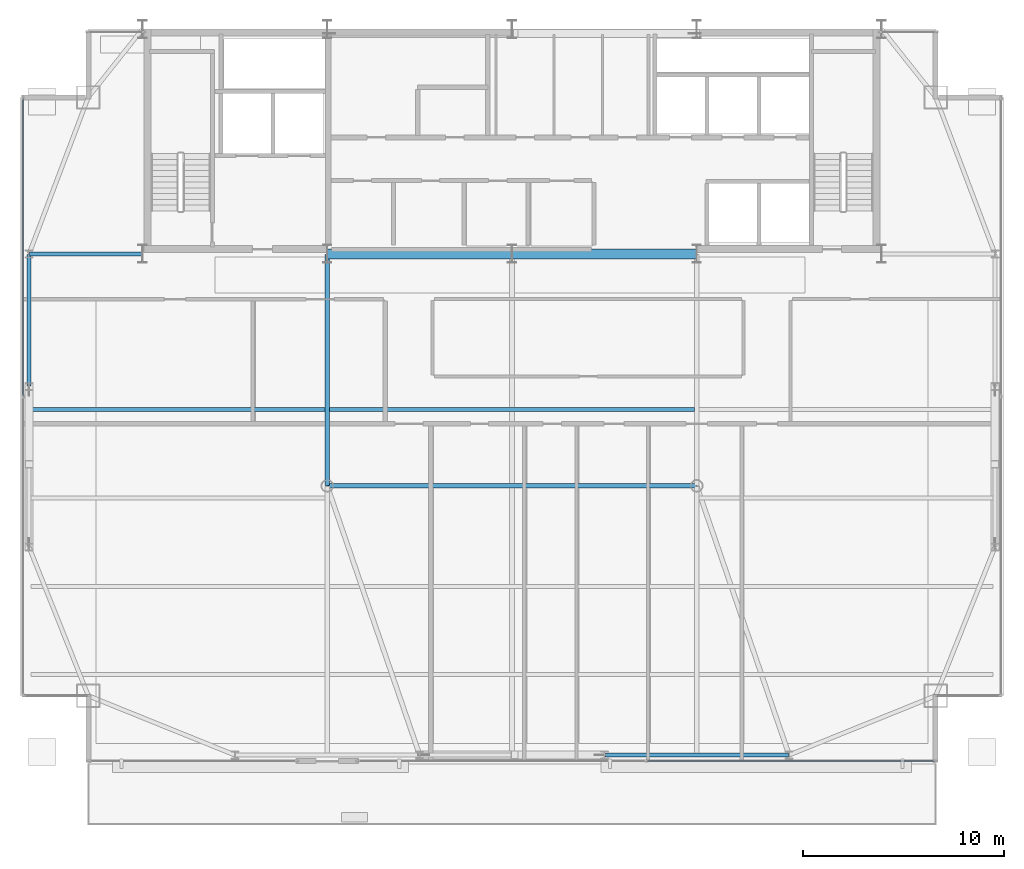
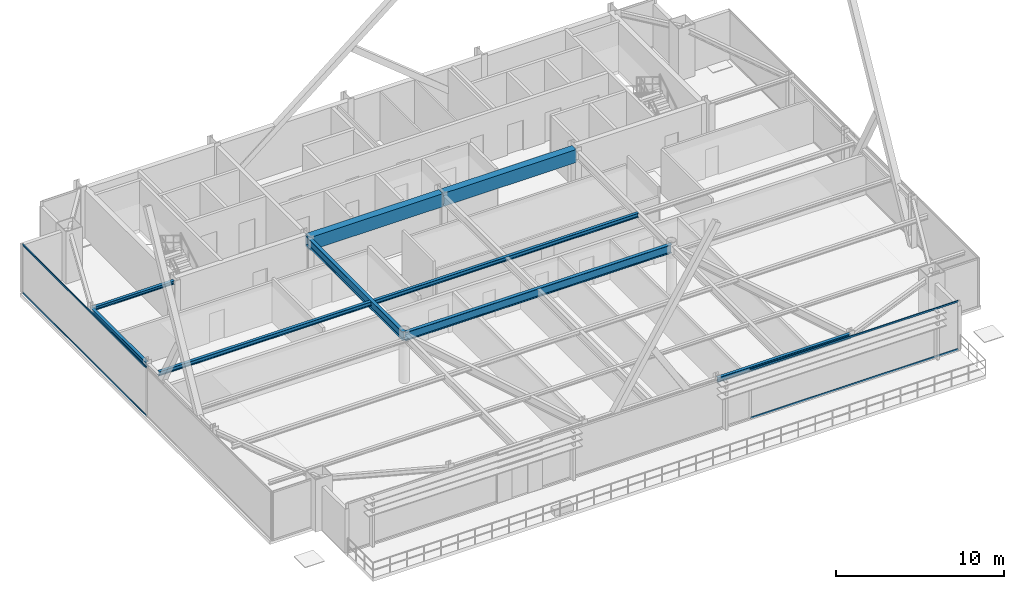
# One storey, part 13 of 33: 9 beams, 4 members, 2 elements without a shape of their own.
"""IFC4 building model written with IfcOpenShell, lengths in metres."""

from ifc_helpers import new_model, si_unit, direction, frame, origin, origin_2d, place, context, subcontext, project, spatial, rectangle, hollow_rectangle, i_section, extrude, source, transform, mapped, material, layer, layer_set, material_profile, profile_set, type_object, type_shapes, element, aggregate, save


model = new_model("IFC4")

# Units and contexts
model_context = context("Model", 3, precision=1e-05, world=origin(), true_north=direction((0.0, 1.0)))
body_context = subcontext(model_context, "Body", "Model", "MODEL_VIEW")
ifc_project = project(units=[si_unit("LENGTHUNIT", "METRE"), si_unit("AREAUNIT", "SQUARE_METRE"), si_unit("VOLUMEUNIT", "CUBIC_METRE"), si_unit("PLANEANGLEUNIT", "RADIAN"), si_unit("MASSUNIT", "GRAM", prefix="KILO")], contexts=[model_context])

# Site, building, storey
site_placement = place(None, origin())
site = spatial("IfcSite", under=ifc_project, at=site_placement, CompositionType="ELEMENT")
building_placement = place(site_placement, origin())
building = spatial("IfcBuilding", under=site, at=building_placement, Name="Varnel Quay Broadcast Tower", CompositionType="ELEMENT")
storey_placement = place(building_placement, frame((0.0, 0.0, 199.800048828125)))
storey = spatial("IfcBuildingStorey", under=building, at=storey_placement, Name="L49", CompositionType="ELEMENT", Elevation=199.800048828125)

# Beams
ifc_material_1 = material(Name="Concrete CSA A23.3 C50/60", Category="concrete")
ifc_material_profile_1 = material_profile(ifc_material_1, rectangle(XDim=0.5, YDim=0.949951171875, at=origin_2d()), Name="RC500X950")
ifc_profile_set_1 = profile_set([ifc_material_profile_1], Name="Concrete CSA A23.3 C50/60")
beam_type_1 = type_object("IfcBeamType", Name="Beam_RC500X950", PredefinedType="BEAM", material=ifc_profile_set_1)
shared_shape_1 = source(origin(), body_context, "Body", "SweptSolid", [
    extrude(rectangle(XDim=0.5, YDim=0.949951171875, at=origin_2d()), origin(), (0.0, 0.0, 1.0), 9.159912109375),
])
type_shapes(beam_type_1, [shared_shape_1])
for number, where, z_axis, x_axis, name in (
    (1, (24.820068359375, 35.60009765625, 3.074951171875), (1.0, 0.0, 0.0), (0.0, 1.0, 0.0), "L49 Core Coupling Beam W"),
    (2, (34.02001953125, 35.60009765625, 3.074951171875), (1.0, 0.0, 0.0), (0.0, 1.0, 0.0), "L49 Core Coupling Beam E"),
):
    element("IfcBeam", number, at=place(storey_placement, frame(where, z_axis=z_axis, x_axis=x_axis)), inside=storey, type_object=beam_type_1, Name=name, PredefinedType="BEAM", context=body_context, shape_type="MappedRepresentation", body=[
        mapped(shared_shape_1, transform((0.0, 0.0, 0.0), x_axis=(1.0, 0.0, 0.0), y_axis=(0.0, 1.0, 0.0), z_axis=(0.0, 0.0, 1.0), scale=1.0)),
    ])
ifc_material_2 = material(Name="Structural Steel CSA G40.21 350W", Category="steel")
ifc_material_profile_2 = material_profile(ifc_material_2, i_section(OverallWidth=0.205078125, OverallDepth=0.35400390625, WebThickness=0.009521484375, FlangeThickness=0.016845703125, FilletRadius=0.012939453125, at=origin_2d()), Name="W360X79")
ifc_profile_set_2 = profile_set([ifc_material_profile_2], Name="Structural Steel CSA G40.21 350W")
beam_type_2 = type_object("IfcBeamType", Name="Beam_W360X79", PredefinedType="SPANDREL", material=ifc_profile_set_2)
shared_shape_2 = source(origin(), body_context, "Body", "SweptSolid", [
    extrude(i_section(OverallWidth=0.205078125, OverallDepth=0.35400390625, WebThickness=0.009521484375, FlangeThickness=0.016845703125, FilletRadius=0.012939453125, at=origin_2d()), origin(), (0.0, 0.0, 1.0), 9.159912109375),
])
beam_1_placement = place(storey_placement, frame((38.6201171875, 10.64990234375, 3.373046875), z_axis=(1.0, 0.0, 0.0), x_axis=(0.0, 1.0, 0.0)))
element("IfcBeam", 3, at=beam_1_placement, inside=storey, type_object=beam_type_2, Name="L49 South Spandrel TC-S3-TC-S4", PredefinedType="SPANDREL", context=body_context, shape_type="MappedRepresentation", body=[
    mapped(shared_shape_2, transform((0.0, 0.0, 0.0), x_axis=(1.0, 0.0, 0.0), y_axis=(0.0, 1.0, 0.0), z_axis=(0.0, 0.0, 1.0), scale=1.0)),
])
shared_shape_3 = source(origin(), body_context, "Body", "SweptSolid", [
    extrude(i_section(OverallWidth=0.205078125, OverallDepth=0.35400390625, WebThickness=0.009521484375, FlangeThickness=0.016845703125, FilletRadius=0.012939453125, at=origin_2d()), origin(), (0.0, 0.0, 1.0), 6.56005859375),
])
type_shapes(beam_type_2, [shared_shape_2, shared_shape_3])
beam_2_placement = place(storey_placement, frame((9.949951171875, 29.02001953125, 3.373046875), z_axis=(0.0, 1.0, 0.0), x_axis=(-1.0, 0.0, 0.0)))
element("IfcBeam", 4, at=beam_2_placement, inside=storey, type_object=beam_type_2, Name="L49 West Spandrel TC-W2-TC-W3", PredefinedType="SPANDREL", context=body_context, shape_type="MappedRepresentation", body=[
    mapped(shared_shape_3, transform((0.0, 0.0, 0.0), x_axis=(1.0, 0.0, 0.0), y_axis=(0.0, 1.0, 0.0), z_axis=(0.0, 0.0, 1.0), scale=1.0)),
])
ifc_material_profile_3 = material_profile(ifc_material_2, i_section(OverallWidth=0.22998046875, OverallDepth=0.616943359375, WebThickness=0.01318359375, FlangeThickness=0.022216796875, FilletRadius=0.01611328125, at=origin_2d()), Name="W610X140")
ifc_profile_set_3 = profile_set([ifc_material_profile_3], Name="Structural Steel CSA G40.21 350W")
beam_type_3 = type_object("IfcBeamType", Name="Girder_W610X140", PredefinedType="BEAM", material=ifc_profile_set_3)
shared_shape_4 = source(origin(), body_context, "Body", "SweptSolid", [
    extrude(i_section(OverallWidth=0.22998046875, OverallDepth=0.616943359375, WebThickness=0.01318359375, FlangeThickness=0.022216796875, FilletRadius=0.01611328125, at=origin_2d()), origin(), (0.0, 0.0, 1.0), 11.510009765625),
])
beam_3_placement = place(storey_placement, frame((24.800048828125, 24.070068359375, 3.241455078125), z_axis=(0.0, 1.0, 0.0), x_axis=(-1.0, 0.0, 0.0)))
element("IfcBeam", 5, at=beam_3_placement, inside=storey, type_object=beam_type_3, Name="L49 Primary Girder IC-01-CC-S2", PredefinedType="BEAM", context=body_context, shape_type="MappedRepresentation", body=[
    mapped(shared_shape_4, transform((0.0, 0.0, 0.0), x_axis=(1.0, 0.0, 0.0), y_axis=(0.0, 1.0, 0.0), z_axis=(0.0, 0.0, 1.0), scale=1.0)),
])
shared_shape_5 = source(origin(), body_context, "Body", "SweptSolid", [
    extrude(i_section(OverallWidth=0.22998046875, OverallDepth=0.616943359375, WebThickness=0.01318359375, FlangeThickness=0.022216796875, FilletRadius=0.01611328125, at=origin_2d()), origin(), (0.0, 0.0, 1.0), 18.35986328125),
])
type_shapes(beam_type_3, [shared_shape_4, shared_shape_5])
beam_4_placement = place(storey_placement, frame((24.820068359375, 24.050048828125, 3.241455078125), z_axis=(1.0, 0.0, 0.0), x_axis=(0.0, 1.0, 0.0)))
element("IfcBeam", 6, at=beam_4_placement, inside=storey, type_object=beam_type_3, Name="L49 Interior Spine Girder", PredefinedType="BEAM", context=body_context, shape_type="MappedRepresentation", body=[
    mapped(shared_shape_5, transform((0.0, 0.0, 0.0), x_axis=(1.0, 0.0, 0.0), y_axis=(0.0, 1.0, 0.0), z_axis=(0.0, 0.0, 1.0), scale=1.0)),
])
ifc_material_profile_4 = material_profile(ifc_material_2, i_section(OverallWidth=0.201904296875, OverallDepth=0.2470703125, WebThickness=0.00732421875, FlangeThickness=0.010986328125, FilletRadius=0.010986328125, at=origin_2d()), Name="W250X49")
ifc_profile_set_4 = profile_set([ifc_material_profile_4], Name="Structural Steel CSA G40.21 350W")
beam_type_4 = type_object("IfcBeamType", Name="Beam_W250X49", PredefinedType="JOIST", material=ifc_profile_set_4)
shared_shape_6 = source(origin(), body_context, "Body", "SweptSolid", [
    extrude(i_section(OverallWidth=0.201904296875, OverallDepth=0.2470703125, WebThickness=0.00732421875, FlangeThickness=0.010986328125, FilletRadius=0.010986328125, at=origin_2d()), origin(), (0.0, 0.0, 1.0), 5.610107421875),
])
type_shapes(beam_type_4, [shared_shape_6])
beam_5_placement = place(storey_placement, frame((9.969970703125, 35.60009765625, 3.426513671875), z_axis=(1.0, 0.0, 0.0), x_axis=(0.0, 1.0, 0.0)))
element("IfcBeam", 7, at=beam_5_placement, inside=storey, type_object=beam_type_4, Name="L49 West Core Tie Joist", PredefinedType="JOIST", context=body_context, shape_type="MappedRepresentation", body=[
    mapped(shared_shape_6, transform((0.0, 0.0, 0.0), x_axis=(1.0, 0.0, 0.0), y_axis=(0.0, 1.0, 0.0), z_axis=(0.0, 0.0, 1.0), scale=1.0)),
])
ifc_material_profile_5 = material_profile(ifc_material_2, i_section(OverallWidth=0.202880859375, OverallDepth=0.302978515625, WebThickness=0.007568359375, FlangeThickness=0.01318359375, FilletRadius=0.011962890625, at=origin_2d()), Name="W310X60")
ifc_profile_set_5 = profile_set([ifc_material_profile_5], Name="Structural Steel CSA G40.21 350W")
beam_type_5 = type_object("IfcBeamType", Name="Beam_W310X60", PredefinedType="JOIST", material=ifc_profile_set_5)
shared_shape_7 = source(origin(), body_context, "Body", "SweptSolid", [
    extrude(i_section(OverallWidth=0.202880859375, OverallDepth=0.302978515625, WebThickness=0.007568359375, FlangeThickness=0.01318359375, FilletRadius=0.011962890625, at=origin_2d()), origin(), (0.0, 0.0, 1.0), 14.642333984375),
])
beam_6_placement = place(storey_placement, frame((10.047607421875, 27.85009765625, 3.3984375), z_axis=(1.0, 0.0, 0.0), x_axis=(0.0, 1.0, 0.0)))
element("IfcBeam", 8, at=beam_6_placement, inside=storey, type_object=beam_type_5, Name="L49 West Floor Joist 4", PredefinedType="JOIST", context=body_context, shape_type="MappedRepresentation", body=[
    mapped(shared_shape_7, transform((0.0, 0.0, 0.0), x_axis=(1.0, 0.0, 0.0), y_axis=(0.0, 1.0, 0.0), z_axis=(0.0, 0.0, 1.0), scale=1.0)),
])
shared_shape_8 = source(origin(), body_context, "Body", "SweptSolid", [
    extrude(i_section(OverallWidth=0.202880859375, OverallDepth=0.302978515625, WebThickness=0.007568359375, FlangeThickness=0.01318359375, FilletRadius=0.011962890625, at=origin_2d()), origin(), (0.0, 0.0, 1.0), 18.18017578125),
])
type_shapes(beam_type_5, [shared_shape_7, shared_shape_8])
beam_7_placement = place(storey_placement, frame((24.909912109375, 27.85009765625, 3.3984375), z_axis=(1.0, 0.0, 0.0), x_axis=(0.0, 1.0, 0.0)))
element("IfcBeam", 9, at=beam_7_placement, inside=storey, type_object=beam_type_5, Name="L49 Central Floor Joist 4", PredefinedType="JOIST", context=body_context, shape_type="MappedRepresentation", body=[
    mapped(shared_shape_8, transform((0.0, 0.0, 0.0), x_axis=(1.0, 0.0, 0.0), y_axis=(0.0, 1.0, 0.0), z_axis=(0.0, 0.0, 1.0), scale=1.0)),
])

# Curtain wall, members
ifc_material_3 = material(Name="Anodised Bronze Aluminium 6063-T6", Category="aluminium")
ifc_layer = layer(ifc_material_3, 0.18994140625, Name="Anodised Bronze Aluminium 6063-T6")
ifc_layer_set = layer_set([ifc_layer], Name="Anodised Bronze Aluminium 6063-T6")
curtain_wall_type = type_object("IfcCurtainWallType", Name="CW_UpperTower", PredefinedType="NOTDEFINED", material=ifc_layer_set)
curtain_wall_1_placement = place(storey_placement, origin())
curtain_wall_1 = element("IfcCurtainWall", 10, at=curtain_wall_1_placement, inside=storey, type_object=curtain_wall_type, Name="L49 South Unitised Curtain Wall 2", PredefinedType="NOTDEFINED")
ifc_material_profile_6 = material_profile(ifc_material_3, hollow_rectangle(XDim=0.06005859375, YDim=0.125, WallThickness=0.0029296875, at=origin_2d()), Name="ALU60X125X3")
ifc_profile_set_6 = profile_set([ifc_material_profile_6], Name="Anodised Bronze Aluminium 6063-T6")
member_type = type_object("IfcMemberType", Name="Tran_CWS-03", PredefinedType="USERDEFINED", material=ifc_profile_set_6)
shared_shape_9 = source(origin(), body_context, "Body", "SweptSolid", [
    extrude(hollow_rectangle(XDim=0.06005859375, YDim=0.125, WallThickness=0.0029296875, at=origin_2d()), origin(), (0.0, 0.0, 1.0), 14.3125),
])
member_1_placement = place(storey_placement, frame((40.722412109375, 10.35009765625, 0.030029296875), z_axis=(1.0, 0.0, 0.0), x_axis=(0.0, 1.0, 0.0)))
member_1 = element("IfcMember", 11, at=member_1_placement, type_object=member_type, Name="CWS-03 transom 2.1", ObjectType="TRANSOM", PredefinedType="USERDEFINED", context=body_context, shape_type="MappedRepresentation", body=[
    mapped(shared_shape_9, transform((0.0, 0.0, 0.0), x_axis=(1.0, 0.0, 0.0), y_axis=(0.0, 1.0, 0.0), z_axis=(0.0, 0.0, 1.0), scale=1.0)),
])
member_2_placement = place(storey_placement, frame((40.722412109375, 10.35009765625, 3.52001953125), z_axis=(1.0, 0.0, 0.0), x_axis=(0.0, 1.0, 0.0)))
member_2 = element("IfcMember", 12, at=member_2_placement, type_object=member_type, Name="CWS-03 transom 2.2", ObjectType="TRANSOM", PredefinedType="USERDEFINED", context=body_context, shape_type="MappedRepresentation", body=[
    mapped(shared_shape_9, transform((0.0, 0.0, 0.0), x_axis=(1.0, 0.0, 0.0), y_axis=(0.0, 1.0, 0.0), z_axis=(0.0, 0.0, 1.0), scale=1.0)),
])
aggregate(curtain_wall_1, [member_1, member_2])

curtain_wall_2_placement = place(storey_placement, origin())
curtain_wall_2 = element("IfcCurtainWall", 13, at=curtain_wall_2_placement, inside=storey, type_object=curtain_wall_type, Name="L49 West Unitised Curtain Wall", PredefinedType="NOTDEFINED")
shared_shape_10 = source(origin(), body_context, "Body", "SweptSolid", [
    extrude(hollow_rectangle(XDim=0.06005859375, YDim=0.125, WallThickness=0.0029296875, at=origin_2d()), origin(), (0.0, 0.0, 1.0), 14.802490234375),
])
type_shapes(member_type, [shared_shape_9, shared_shape_10])
member_3_placement = place(storey_placement, frame((9.64990234375, 28.532470703125, 0.030029296875), z_axis=(0.0, 1.0, 0.0), x_axis=(-1.0, 0.0, 0.0)))
member_3 = element("IfcMember", 14, at=member_3_placement, type_object=member_type, Name="CWS-03 transom 2.1", ObjectType="TRANSOM", PredefinedType="USERDEFINED", context=body_context, shape_type="MappedRepresentation", body=[
    mapped(shared_shape_10, transform((0.0, 0.0, 0.0), x_axis=(1.0, 0.0, 0.0), y_axis=(0.0, 1.0, 0.0), z_axis=(0.0, 0.0, 1.0), scale=1.0)),
])
member_4_placement = place(storey_placement, frame((9.64990234375, 28.532470703125, 3.52001953125), z_axis=(0.0, 1.0, 0.0), x_axis=(-1.0, 0.0, 0.0)))
member_4 = element("IfcMember", 15, at=member_4_placement, type_object=member_type, Name="CWS-03 transom 2.2", ObjectType="TRANSOM", PredefinedType="USERDEFINED", context=body_context, shape_type="MappedRepresentation", body=[
    mapped(shared_shape_10, transform((0.0, 0.0, 0.0), x_axis=(1.0, 0.0, 0.0), y_axis=(0.0, 1.0, 0.0), z_axis=(0.0, 0.0, 1.0), scale=1.0)),
])
aggregate(curtain_wall_2, [member_3, member_4])

save(model, "model.ifc")
